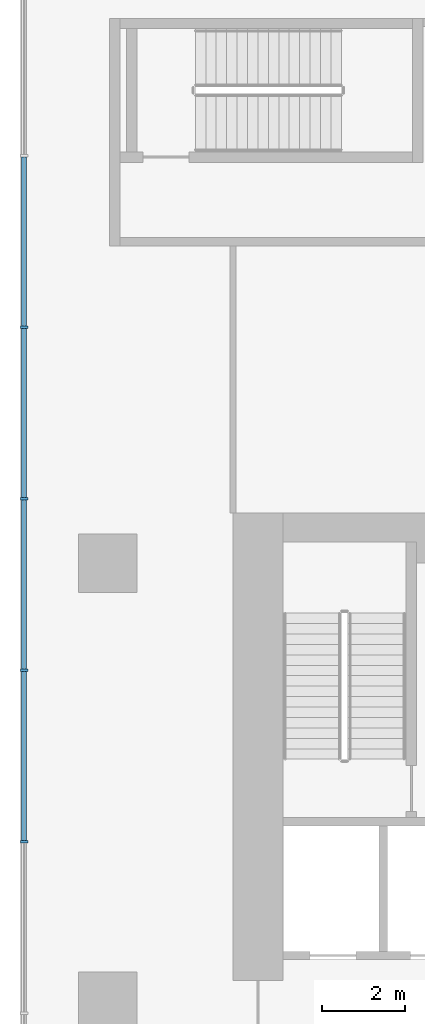
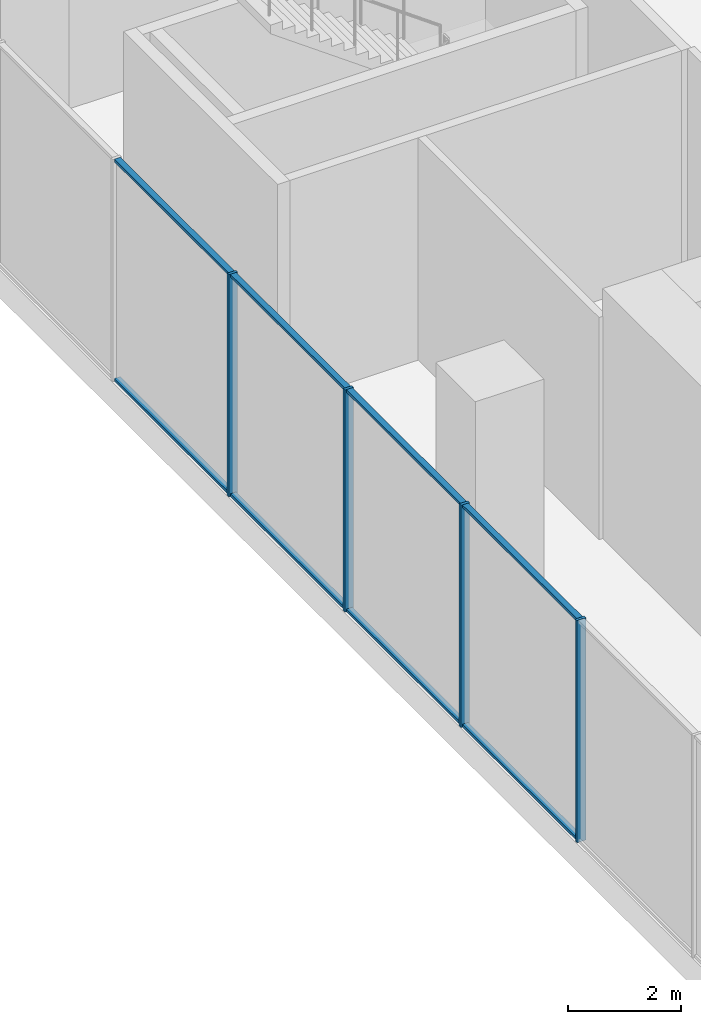
# One storey, part 4 of 23: 12 members, 1 element without a shape of its own.
"""IFC4 building model written with IfcOpenShell, lengths in metres."""

from ifc_helpers import new_model, si_unit, direction, frame, origin, origin_2d, place, context, subcontext, project, spatial, rectangle, extrude, source, transform, mapped, material, layer, layer_set, material_profile, profile_set, type_object, element, aggregate, save


model = new_model("IFC4")

# Units and contexts
model_context = context("Model", 3, precision=1e-05, world=origin(), true_north=direction((0.0, 1.0)))
body_context = subcontext(model_context, "Body", "Model", "MODEL_VIEW")
ifc_project = project(units=[si_unit("LENGTHUNIT", "METRE"), si_unit("AREAUNIT", "SQUARE_METRE"), si_unit("VOLUMEUNIT", "CUBIC_METRE"), si_unit("PLANEANGLEUNIT", "RADIAN"), si_unit("MASSUNIT", "GRAM", prefix="KILO")], contexts=[model_context])

# Site, building, storey
site_placement = place(None, origin())
site = spatial("IfcSite", under=ifc_project, at=site_placement, CompositionType="ELEMENT")
building_placement = place(site_placement, origin())
building = spatial("IfcBuilding", under=site, at=building_placement, Name="Aurelian Terraces", CompositionType="ELEMENT")
storey_placement = place(building_placement, frame((0.0, 0.0, 18.3)))
storey = spatial("IfcBuildingStorey", under=building, at=storey_placement, Name="L03", CompositionType="ELEMENT", Elevation=18.3)

# Curtain wall, members
ifc_material_1 = material(Name="Anodised aluminium and clear glazing", Category="aluminium")
ifc_layer = layer(ifc_material_1, 0.2)
ifc_layer_set = layer_set([ifc_layer], Name="Winter garden glazing curtain wall")
curtain_wall_type = type_object("IfcCurtainWallType", Name="Winter garden glazing curtain wall", PredefinedType="NOTDEFINED", material=ifc_layer_set)
curtain_wall_placement = place(storey_placement, origin())
curtain_wall = element("IfcCurtainWall", 1, at=curtain_wall_placement, inside=storey, type_object=curtain_wall_type, Name="Winter garden glazing L03 F06.1", PredefinedType="NOTDEFINED")
ifc_material_2 = material(Name="Anodised aluminium", Category="aluminium")
ifc_material_profile_1 = material_profile(ifc_material_2, rectangle(XDim=0.18, YDim=0.06, at=origin_2d()))
ifc_profile_set_1 = profile_set([ifc_material_profile_1], Name="Anodised aluminium")
member_type_1 = type_object("IfcMemberType", Name="Winter garden glazing mullion", PredefinedType="MULLION", material=ifc_profile_set_1)
shared_shape_1 = source(origin(), body_context, "Body", "SweptSolid", [
    extrude(rectangle(XDim=0.18, YDim=0.06, at=origin_2d()), origin(), (0.0, 0.0, 1.0), 4.8),
])
member_1_placement = place(storey_placement, frame((-2.0, 26.6467, 0.0), z_axis=(0.0, 0.0, 1.0), x_axis=(1.0, 0.0, 0.0)))
member_1 = element("IfcMember", 2, at=member_1_placement, type_object=member_type_1, Name="CW6 mullion 12", PredefinedType="MULLION", context=body_context, shape_type="MappedRepresentation", body=[
    mapped(shared_shape_1, transform((0.0, 0.0, 0.0), scale=1.0)),
])
member_2_placement = place(storey_placement, frame((-2.0, 22.54, 0.0), z_axis=(0.0, 0.0, 1.0), x_axis=(1.0, 0.0, 0.0)))
member_2 = element("IfcMember", 3, at=member_2_placement, type_object=member_type_1, Name="CW6 mullion 13", PredefinedType="MULLION", context=body_context, shape_type="MappedRepresentation", body=[
    mapped(shared_shape_1, transform((0.0, 0.0, 0.0), scale=1.0)),
])
member_3_placement = place(storey_placement, frame((-2.0, 18.4333, 0.0), z_axis=(0.0, 0.0, 1.0), x_axis=(1.0, 0.0, 0.0)))
member_3 = element("IfcMember", 4, at=member_3_placement, type_object=member_type_1, Name="CW6 mullion 14", PredefinedType="MULLION", context=body_context, shape_type="MappedRepresentation", body=[
    mapped(shared_shape_1, transform((0.0, 0.0, 0.0), scale=1.0)),
])
member_4_placement = place(storey_placement, frame((-2.0, 14.3267, 0.0), z_axis=(0.0, 0.0, 1.0), x_axis=(1.0, 0.0, 0.0)))
member_4 = element("IfcMember", 5, at=member_4_placement, type_object=member_type_1, Name="CW6 mullion 15", PredefinedType="MULLION", context=body_context, shape_type="MappedRepresentation", body=[
    mapped(shared_shape_1, transform((0.0, 0.0, 0.0), scale=1.0)),
])
ifc_material_profile_2 = material_profile(ifc_material_2, rectangle(XDim=0.12, YDim=0.06, at=origin_2d()))
ifc_profile_set_2 = profile_set([ifc_material_profile_2], Name="Anodised aluminium")
member_type_2 = type_object("IfcMemberType", Name="Winter garden glazing transom", PredefinedType="USERDEFINED", material=ifc_profile_set_2)
shared_shape_2 = source(origin(), body_context, "Body", "SweptSolid", [
    extrude(rectangle(XDim=0.12, YDim=0.06, at=origin_2d()), origin(), (0.0, 0.0, 1.0), 4.0466),
])
member_5_placement = place(storey_placement, frame((-2.0, 30.7233, 0.03), z_axis=(0.0, -1.0, 0.0), x_axis=(1.0, 0.0, 0.0)))
member_5 = element("IfcMember", 6, at=member_5_placement, type_object=member_type_2, Name="CW6 transom 11.1", ObjectType="TRANSOM", PredefinedType="USERDEFINED", context=body_context, shape_type="MappedRepresentation", body=[
    mapped(shared_shape_2, transform((0.0, 0.0, 0.0), scale=1.0)),
])
member_6_placement = place(storey_placement, frame((-2.0, 30.7233, 4.77), z_axis=(0.0, -1.0, 0.0), x_axis=(1.0, 0.0, 0.0)))
member_6 = element("IfcMember", 7, at=member_6_placement, type_object=member_type_2, Name="CW6 transom 11.2", ObjectType="TRANSOM", PredefinedType="USERDEFINED", context=body_context, shape_type="MappedRepresentation", body=[
    mapped(shared_shape_2, transform((0.0, 0.0, 0.0), scale=1.0)),
])
member_7_placement = place(storey_placement, frame((-2.0, 18.4033, 0.03), z_axis=(0.0, -1.0, 0.0), x_axis=(1.0, 0.0, 0.0)))
member_7 = element("IfcMember", 8, at=member_7_placement, type_object=member_type_2, Name="CW6 transom 14.1", ObjectType="TRANSOM", PredefinedType="USERDEFINED", context=body_context, shape_type="MappedRepresentation", body=[
    mapped(shared_shape_2, transform((0.0, 0.0, 0.0), scale=1.0)),
])
member_8_placement = place(storey_placement, frame((-2.0, 18.4033, 4.77), z_axis=(0.0, -1.0, 0.0), x_axis=(1.0, 0.0, 0.0)))
member_8 = element("IfcMember", 9, at=member_8_placement, type_object=member_type_2, Name="CW6 transom 14.2", ObjectType="TRANSOM", PredefinedType="USERDEFINED", context=body_context, shape_type="MappedRepresentation", body=[
    mapped(shared_shape_2, transform((0.0, 0.0, 0.0), scale=1.0)),
])
shared_shape_3 = source(origin(), body_context, "Body", "SweptSolid", [
    extrude(rectangle(XDim=0.12, YDim=0.06, at=origin_2d()), origin(), (0.0, 0.0, 1.0), 4.0467),
])
member_9_placement = place(storey_placement, frame((-2.0, 26.6167, 0.03), z_axis=(0.0, -1.0, 0.0), x_axis=(1.0, 0.0, 0.0)))
member_9 = element("IfcMember", 10, at=member_9_placement, type_object=member_type_2, Name="CW6 transom 12.1", ObjectType="TRANSOM", PredefinedType="USERDEFINED", context=body_context, shape_type="MappedRepresentation", body=[
    mapped(shared_shape_3, transform((0.0, 0.0, 0.0), scale=1.0)),
])
member_10_placement = place(storey_placement, frame((-2.0, 26.6167, 4.77), z_axis=(0.0, -1.0, 0.0), x_axis=(1.0, 0.0, 0.0)))
member_10 = element("IfcMember", 11, at=member_10_placement, type_object=member_type_2, Name="CW6 transom 12.2", ObjectType="TRANSOM", PredefinedType="USERDEFINED", context=body_context, shape_type="MappedRepresentation", body=[
    mapped(shared_shape_3, transform((0.0, 0.0, 0.0), scale=1.0)),
])
member_11_placement = place(storey_placement, frame((-2.0, 22.51, 0.03), z_axis=(0.0, -1.0, 0.0), x_axis=(1.0, 0.0, 0.0)))
member_11 = element("IfcMember", 12, at=member_11_placement, type_object=member_type_2, Name="CW6 transom 13.1", ObjectType="TRANSOM", PredefinedType="USERDEFINED", context=body_context, shape_type="MappedRepresentation", body=[
    mapped(shared_shape_3, transform((0.0, 0.0, 0.0), scale=1.0)),
])
member_12_placement = place(storey_placement, frame((-2.0, 22.51, 4.77), z_axis=(0.0, -1.0, 0.0), x_axis=(1.0, 0.0, 0.0)))
member_12 = element("IfcMember", 13, at=member_12_placement, type_object=member_type_2, Name="CW6 transom 13.2", ObjectType="TRANSOM", PredefinedType="USERDEFINED", context=body_context, shape_type="MappedRepresentation", body=[
    mapped(shared_shape_3, transform((0.0, 0.0, 0.0), scale=1.0)),
])
aggregate(curtain_wall, [member_1, member_2, member_3, member_4, member_5, member_6, member_9, member_10, member_11, member_12, member_7, member_8])

save(model, "model.ifc")
